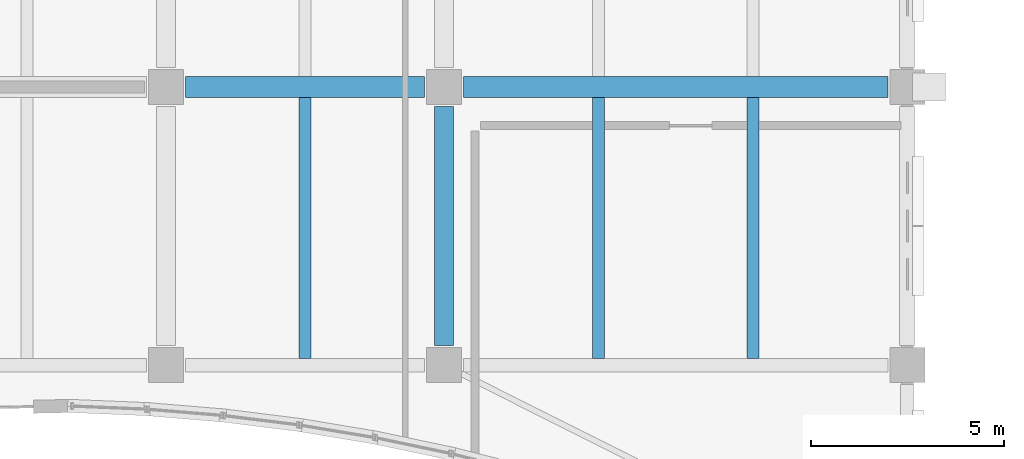
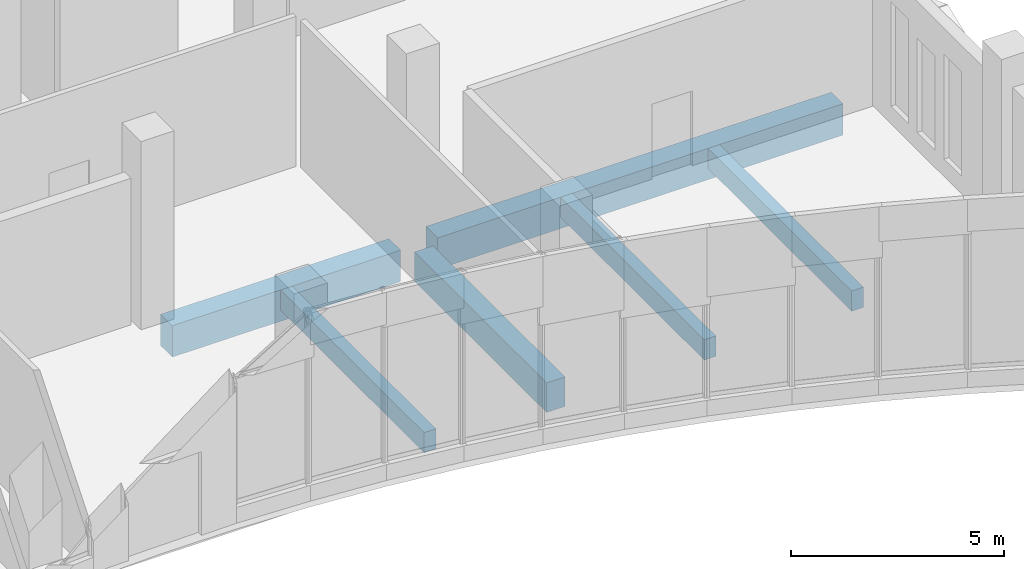
# One storey, part 100 of 192: 6 beams.
"""IFC4 building model written with IfcOpenShell, lengths in metres."""

from ifc_helpers import new_model, si_unit, direction, frame, origin, origin_2d, place, context, subcontext, project, spatial, rectangle, extrude, material, material_profile, profile_set, type_object, element, save


model = new_model("IFC4")

# Units and contexts
model_context = context("Model", 3, precision=1e-05, world=origin(), true_north=direction((0.0, 1.0)))
body_context = subcontext(model_context, "Body", "Model", "MODEL_VIEW")
ifc_project = project(units=[si_unit("LENGTHUNIT", "METRE"), si_unit("AREAUNIT", "SQUARE_METRE"), si_unit("VOLUMEUNIT", "CUBIC_METRE"), si_unit("PLANEANGLEUNIT", "RADIAN"), si_unit("MASSUNIT", "GRAM", prefix="KILO")], contexts=[model_context])

# Site, building, storey
site_placement = place(None, origin())
site = spatial("IfcSite", under=ifc_project, at=site_placement, CompositionType="ELEMENT")
building_placement = place(site_placement, origin())
building = spatial("IfcBuilding", under=site, at=building_placement, Name="Cendralis Lancet Convention Centre", CompositionType="ELEMENT")
storey_placement = place(building_placement, origin())
storey = spatial("IfcBuildingStorey", under=building, at=storey_placement, Name="L00", CompositionType="ELEMENT", Elevation=0.0)

# Beams
ifc_material_1 = material(Name="Concrete G40 (C40/50)", Category="concrete")
ifc_material_profile_1 = material_profile(ifc_material_1, rectangle(XDim=0.550048828125, YDim=0.89990234375, at=origin_2d()), Name="RCB 550x900")
ifc_profile_set_1 = profile_set([ifc_material_profile_1], Name="Concrete G40 (C40/50)")
beam_type_1 = type_object("IfcBeamType", Name="STR-BM-BG06", PredefinedType="BEAM", material=ifc_profile_set_1)
beam_1_placement = place(storey_placement, frame((190.10009765625, 14.39990234375, -0.77001953125), z_axis=(1.0, 0.0, 0.0), x_axis=(0.0, 1.0, 0.0)))
element("IfcBeam", 1, at=beam_1_placement, inside=storey, type_object=beam_type_1, Name="L00 Beam BG06 #0019", PredefinedType="BEAM", context=body_context, shape_type="SweptSolid", body=[
    extrude(rectangle(XDim=0.550048828125, YDim=0.89990234375, at=origin_2d()), origin(), (0.0, 0.0, 1.0), 6.199951171875),
])
beam_2_placement = place(storey_placement, frame((197.300048828125, 14.39990234375, -0.77001953125), z_axis=(1.0, 0.0, 0.0), x_axis=(0.0, 1.0, 0.0)))
element("IfcBeam", 2, at=beam_2_placement, inside=storey, type_object=beam_type_1, Name="L00 Beam BG06 #0020", PredefinedType="BEAM", context=body_context, shape_type="SweptSolid", body=[
    extrude(rectangle(XDim=0.550048828125, YDim=0.89990234375, at=origin_2d()), origin(), (0.0, 0.0, 1.0), 11.0),
])
ifc_material_2 = material(Name="Concrete G35 (C35/45)", Category="concrete")
ifc_material_profile_2 = material_profile(ifc_material_2, rectangle(XDim=0.5, YDim=0.85009765625, at=origin_2d()), Name="RCB 500x850")
ifc_profile_set_2 = profile_set([ifc_material_profile_2], Name="Concrete G35 (C35/45)")
beam_type_2 = type_object("IfcBeamType", Name="STR-BM-BG08", PredefinedType="BEAM", material=ifc_profile_set_2)
beam_3_placement = place(storey_placement, frame((196.800048828125, 7.699951171875, -0.7451171875), z_axis=(0.0, 1.0, 0.0), x_axis=(-1.0, 0.0, 0.0)))
element("IfcBeam", 3, at=beam_3_placement, inside=storey, type_object=beam_type_2, Name="L00 Beam BG08 #0085", PredefinedType="BEAM", context=body_context, shape_type="SweptSolid", body=[
    extrude(rectangle(XDim=0.5, YDim=0.85009765625, at=origin_2d()), origin(), (0.0, 0.0, 1.0), 6.199951171875),
])
ifc_material_profile_3 = material_profile(ifc_material_2, rectangle(XDim=0.320068359375, YDim=0.580078125, at=origin_2d()), Name="RCB 320x580")
ifc_profile_set_3 = profile_set([ifc_material_profile_3], Name="Concrete G35 (C35/45)")
beam_type_3 = type_object("IfcBeamType", Name="STR-JS-BJ01", PredefinedType="JOIST", material=ifc_profile_set_3)
for number, where, z_axis, x_axis, name in (
    (4, (193.199951171875, 7.375, -0.610107421875), (0.0, 1.0, 0.0), (-1.0, 0.0, 0.0), "L00 Beam BJ01 #0120"),
    (5, (200.800048828125, 7.375, -0.610107421875), (0.0, 1.0, 0.0), (-1.0, 0.0, 0.0), "L00 Beam BJ01 #0123"),
    (6, (204.800048828125, 7.375, -0.610107421875), (0.0, 1.0, 0.0), (-1.0, 0.0, 0.0), "L00 Beam BJ01 #0125"),
):
    element("IfcBeam", number, at=place(storey_placement, frame(where, z_axis=z_axis, x_axis=x_axis)), inside=storey, type_object=beam_type_3, Name=name, PredefinedType="JOIST", context=body_context, shape_type="SweptSolid", body=[
        extrude(rectangle(XDim=0.320068359375, YDim=0.580078125, at=origin_2d()), origin(), (0.0, 0.0, 1.0), 6.75),
    ])

save(model, "model.ifc")
